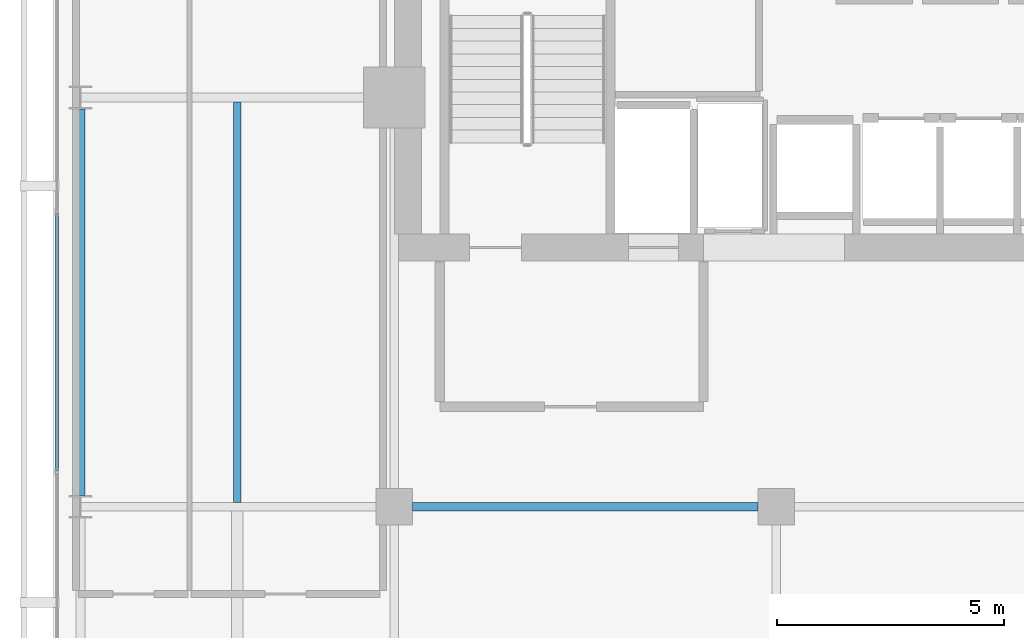
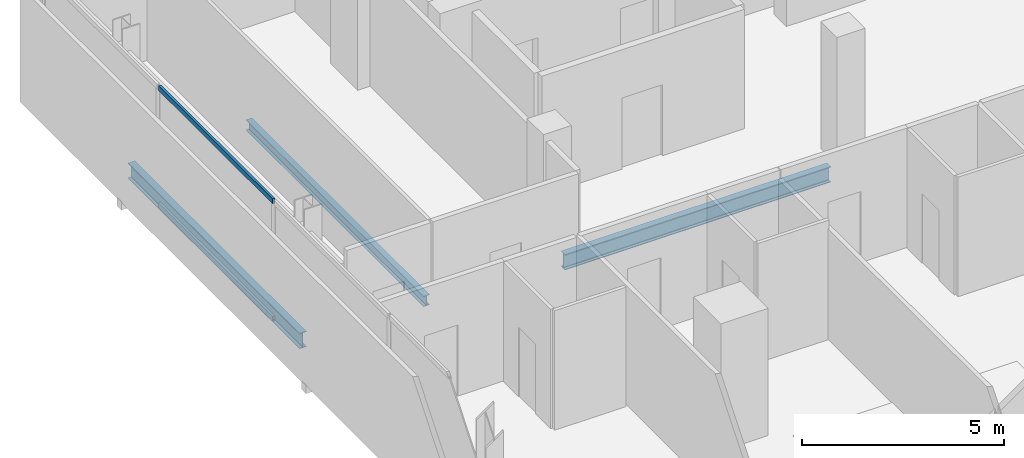
# One storey, part 8 of 24: 3 beams, 2 members, 1 element without a shape of its own.
"""IFC4 building model written with IfcOpenShell, lengths in metres."""

from ifc_helpers import new_model, si_unit, direction, frame, origin, origin_2d, place, context, subcontext, project, spatial, hollow_rectangle, i_section, extrude, material, layer, layer_set, material_profile, profile_set, type_object, element, aggregate, save


model = new_model("IFC4")

# Units and contexts
model_context = context("Model", 3, precision=1e-05, world=origin(), true_north=direction((0.0, 1.0)))
body_context = subcontext(model_context, "Body", "Model", "MODEL_VIEW")
ifc_project = project(units=[si_unit("LENGTHUNIT", "METRE"), si_unit("AREAUNIT", "SQUARE_METRE"), si_unit("VOLUMEUNIT", "CUBIC_METRE"), si_unit("PLANEANGLEUNIT", "RADIAN"), si_unit("MASSUNIT", "GRAM", prefix="KILO")], contexts=[model_context])

# Site, building, storey
site_placement = place(None, origin())
site = spatial("IfcSite", under=ifc_project, at=site_placement, CompositionType="ELEMENT")
building_placement = place(site_placement, origin())
building = spatial("IfcBuilding", under=site, at=building_placement, Name="Maruvema Waterfront Hotel and Observation Tower", CompositionType="ELEMENT")
storey_placement = place(building_placement, frame((0.0, 0.0, 333.550048828125)))
storey = spatial("IfcBuildingStorey", under=building, at=storey_placement, Name="L82", CompositionType="ELEMENT", Elevation=333.550048828125)

# Curtain wall, members
ifc_material_1 = material(Name="Anodised bronze aluminium and solar-control low-E IGU", Category="aluminium")
ifc_layer = layer(ifc_material_1, 0.159912109375, Name="Zone 4 Sky Residence Inner Curtain Wall System CW-05")
ifc_layer_set = layer_set([ifc_layer], Name="Anodised bronze aluminium and solar-control low-E IGU")
curtain_wall_type = type_object("IfcCurtainWallType", Name="Zone 4 Sky Residence Inner Curtain Wall System CW-05", PredefinedType="USERDEFINED", material=ifc_layer_set)
curtain_wall_placement = place(storey_placement, origin())
curtain_wall = element("IfcCurtainWall", 1, at=curtain_wall_placement, inside=storey, type_object=curtain_wall_type, Name="L82 Curtain Wall CW-L82-W", ObjectType="UNITISED CURTAIN WALL", PredefinedType="USERDEFINED")
ifc_material_2 = material(Name="Anodised architectural bronze aluminium", Category="aluminium")
ifc_material_profile_1 = material_profile(ifc_material_2, hollow_rectangle(XDim=0.070068359375, YDim=0.14990234375, WallThickness=0.00390625, at=origin_2d()), Name="ALU-T70x150")
ifc_profile_set_1 = profile_set([ifc_material_profile_1], Name="Anodised architectural bronze aluminium")
member_type = type_object("IfcMemberType", Name="Curtain Wall Horizontal Transom ALU-T70x150", PredefinedType="USERDEFINED", material=ifc_profile_set_1)
member_1_placement = place(storey_placement, frame((17.780029296875, 42.449951171875, 0.030029296875), z_axis=(0.0, -1.0, 0.0), x_axis=(1.0, 0.0, 0.0)))
member_1 = element("IfcMember", 2, at=member_1_placement, type_object=member_type, Name="CW-05 transom 2.1", ObjectType="TRANSOM", PredefinedType="USERDEFINED", context=body_context, shape_type="SweptSolid", body=[
    extrude(hollow_rectangle(XDim=0.070068359375, YDim=0.14990234375, WallThickness=0.00390625, at=origin_2d()), origin(), (0.0, 0.0, 1.0), 5.659912109375),
])
member_2_placement = place(storey_placement, frame((17.780029296875, 42.449951171875, 3.579833984375), z_axis=(0.0, -1.0, 0.0), x_axis=(1.0, 0.0, 0.0)))
member_2 = element("IfcMember", 3, at=member_2_placement, type_object=member_type, Name="CW-05 transom 2.2", ObjectType="TRANSOM", PredefinedType="USERDEFINED", context=body_context, shape_type="SweptSolid", body=[
    extrude(hollow_rectangle(XDim=0.070068359375, YDim=0.14990234375, WallThickness=0.00390625, at=origin_2d()), origin(), (0.0, 0.0, 1.0), 5.659912109375),
])
aggregate(curtain_wall, [member_1, member_2])

# Beams
ifc_material_3 = material(Name="Steel ASTM A572 Grade 50", Category="steel")
ifc_material_profile_2 = material_profile(ifc_material_3, i_section(OverallWidth=0.194091796875, OverallDepth=0.468994140625, WebThickness=0.0126953125, FlangeThickness=0.0205078125, FilletRadius=0.014892578125, at=origin_2d()), Name="W460x106.0")
ifc_profile_set_2 = profile_set([ifc_material_profile_2], Name="Steel ASTM A572 Grade 50")
beam_type_1 = type_object("IfcBeamType", Name="Primary Floor Girder W460x106.0", PredefinedType="BEAM", material=ifc_profile_set_2)
beam_1_placement = place(storey_placement, frame((25.60009765625, 36.0, -0.474609375), z_axis=(1.0, 0.0, 0.0), x_axis=(0.0, 1.0, 0.0)))
element("IfcBeam", 4, at=beam_1_placement, inside=storey, type_object=beam_type_1, Name="L82 Floor Girder EW-11", PredefinedType="BEAM", context=body_context, shape_type="SweptSolid", body=[
    extrude(i_section(OverallWidth=0.194091796875, OverallDepth=0.468994140625, WebThickness=0.0126953125, FlangeThickness=0.0205078125, FilletRadius=0.014892578125, at=origin_2d()), origin(), (0.0, 0.0, 1.0), 7.599853515625),
])
beam_2_placement = place(storey_placement, frame((18.300048828125, 36.25, -0.474609375), z_axis=(0.0, 1.0, 0.0), x_axis=(-1.0, 0.0, 0.0)))
element("IfcBeam", 5, at=beam_2_placement, inside=storey, type_object=beam_type_1, Name="L82 Floor Girder NS-02", PredefinedType="BEAM", context=body_context, shape_type="SweptSolid", body=[
    extrude(i_section(OverallWidth=0.194091796875, OverallDepth=0.468994140625, WebThickness=0.0126953125, FlangeThickness=0.0205078125, FilletRadius=0.014892578125, at=origin_2d()), origin(), (0.0, 0.0, 1.0), 8.5),
])
ifc_material_4 = material(Name="Steel ASTM A572 Grade 50", Category="steel")
ifc_material_profile_3 = material_profile(ifc_material_4, i_section(OverallWidth=0.1669921875, OverallDepth=0.31689453125, WebThickness=0.007568359375, FlangeThickness=0.01318359375, FilletRadius=0.012939453125, at=origin_2d()), Name="W310x52.0")
ifc_profile_set_3 = profile_set([ifc_material_profile_3], Name="Steel ASTM A572 Grade 50")
beam_type_2 = type_object("IfcBeamType", Name="Secondary Floor Joist W310x52.0", PredefinedType="JOIST", material=ifc_profile_set_3)
beam_3_placement = place(storey_placement, frame((21.75, 36.096923828125, -0.3984375), z_axis=(0.0, 1.0, 0.0), x_axis=(-1.0, 0.0, 0.0)))
element("IfcBeam", 6, at=beam_3_placement, inside=storey, type_object=beam_type_2, Name="L82 Secondary Floor Joist JS-02", PredefinedType="JOIST", context=body_context, shape_type="SweptSolid", body=[
    extrude(i_section(OverallWidth=0.1669921875, OverallDepth=0.31689453125, WebThickness=0.007568359375, FlangeThickness=0.01318359375, FilletRadius=0.012939453125, at=origin_2d()), origin(), (0.0, 0.0, 1.0), 8.80615234375),
])

save(model, "model.ifc")
